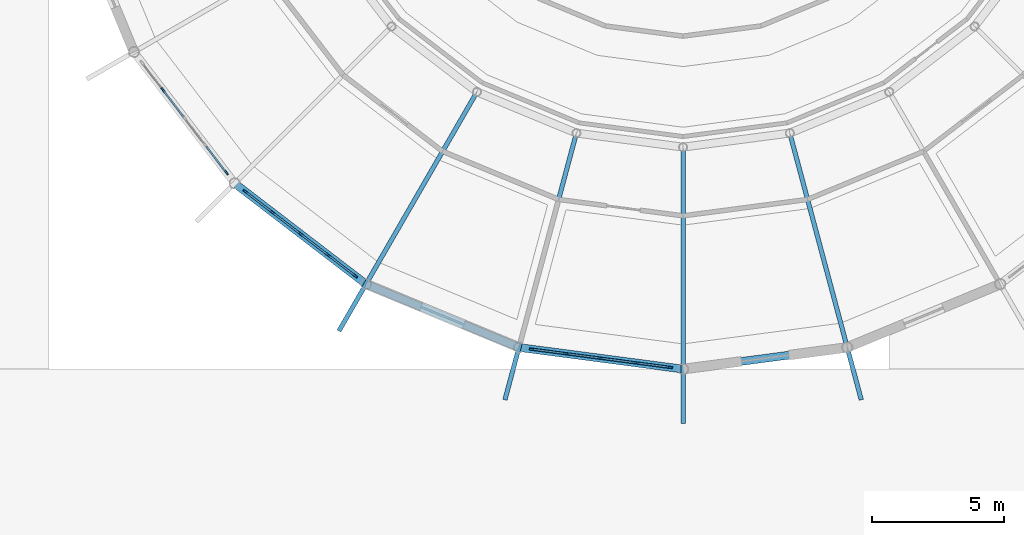
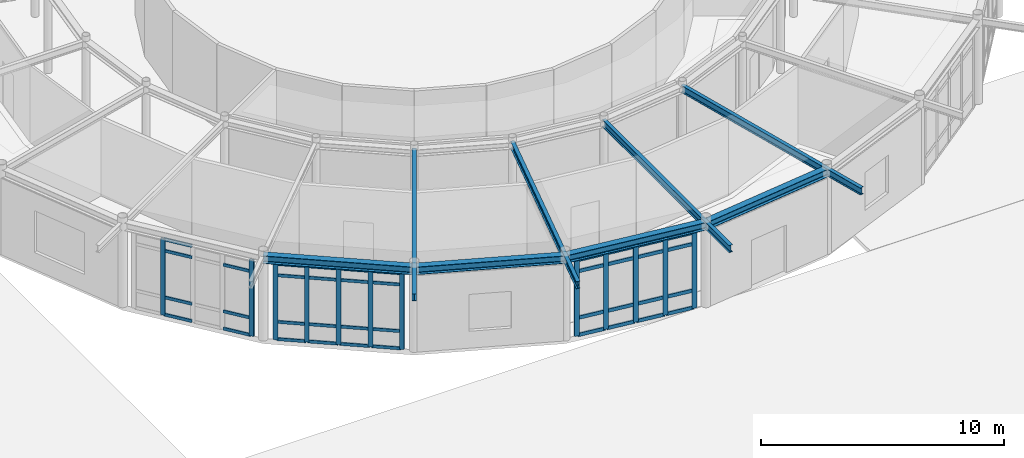
# One storey, part 31 of 101: 51 members, 8 beams, 3 elements without a shape of their own.
"""IFC4 building model written with IfcOpenShell, lengths in metres."""

import ifcopenshell
import ifcopenshell.guid

model = None  # the IFC model being written
_history = None  # IfcOwnerHistory: only IFC2X3 demands one
_inside = {}  # id of a spatial element -> (the spatial element, [elements in it])
_under = {}  # id of a project, library or spatial element -> (it, [spatial elements below it])
_declared = {}  # id of a project -> (the project, [libraries it declares])
_typed = {}  # id of a type object -> (the type object, [elements of that type])
_made_of = {}  # id of a material, layer set ... -> (it, [elements and type objects made of it])


def new_model(schema):
    """Start an empty IFC model of exactly this schema.

    Asked for "IFC4X3", IfcOpenShell would pick the latest addendum, in which some entities
    have other attributes; the version numbers below select the first issue.
    IFC2X3 requires an IfcOwnerHistory on every rooted entity: one is made here for all.
    """
    global model, _history
    if schema == "IFC4X3":
        model = ifcopenshell.file(schema_version=(4, 3, 0, 0))
    else:
        model = ifcopenshell.file(schema=schema)
    _inside.clear()
    _under.clear()
    _declared.clear()
    _typed.clear()
    _made_of.clear()
    _history = None
    if model.schema == "IFC2X3":
        org = make("IfcOrganization", Name="unknown")
        user = make(
            "IfcPersonAndOrganization",
            ThePerson=make("IfcPerson", FamilyName="unknown"),
            TheOrganization=org,
        )
        app = make(
            "IfcApplication",
            ApplicationDeveloper=org,
            Version="unknown",
            ApplicationFullName="unknown",
            ApplicationIdentifier="unknown",
        )
        _history = make(
            "IfcOwnerHistory",
            OwningUser=user,
            OwningApplication=app,
            ChangeAction="ADDED",
            CreationDate=0,
        )
    return model


def make(cls, **values):
    """One entity of the class cls with the attributes given. An attribute that is None is left unset."""
    return model.create_entity(
        cls, **{name: value for name, value in values.items() if value is not None}
    )


def rooted(cls, **values):
    """An entity with a GlobalId (a new one), such as an element, a storey or a relation."""
    return make(cls, GlobalId=ifcopenshell.guid.new(), OwnerHistory=_history, **values)


def si_unit(unit_type, name, prefix=None):
    """IfcSIUnit, for example si_unit("LENGTHUNIT", "METRE", prefix="MILLI")."""
    return make("IfcSIUnit", UnitType=unit_type, Prefix=prefix, Name=name)


def derived_unit(unit_type, elements):
    """IfcDerivedUnit: a product of units, each with its exponent."""
    return make(
        "IfcDerivedUnit",
        Elements=[
            make("IfcDerivedUnitElement", Unit=unit, Exponent=power)
            for unit, power in elements
        ],
        UnitType=unit_type,
    )


def assignment(units):
    """IfcUnitAssignment: the units of a project."""
    return None if units is None else make("IfcUnitAssignment", Units=units)


def point(xyz):
    """IfcCartesianPoint."""
    return None if xyz is None else make("IfcCartesianPoint", Coordinates=xyz)


def direction(xyz):
    """IfcDirection."""
    return None if xyz is None else make("IfcDirection", DirectionRatios=xyz)


def frame(location, z_axis=None, x_axis=None):
    """IfcAxis2Placement3D, a coordinate frame: its origin and axes. An axis left out is left unset."""
    return make(
        "IfcAxis2Placement3D",
        Location=point(location),
        Axis=direction(z_axis),
        RefDirection=direction(x_axis),
    )


def frame_2d(location, x_axis=None):
    """IfcAxis2Placement2D, a coordinate frame in the plane: its origin and x axis."""
    return make(
        "IfcAxis2Placement2D", Location=point(location), RefDirection=direction(x_axis)
    )


def origin():
    """The frame at (0, 0, 0) with its axes left unset."""
    return frame((0.0, 0.0, 0.0))


def origin_2d():
    """The frame at (0, 0) in the plane with its x axis left unset."""
    return frame_2d((0.0, 0.0))


def place(relative_to, where):
    """IfcLocalPlacement: puts the frame where relative to a parent placement (None: the world)."""
    return make(
        "IfcLocalPlacement", PlacementRelTo=relative_to, RelativePlacement=where
    )


def context(
    kind, dimensions, precision=None, world=None, true_north=None, identifier=None
):
    """IfcGeometricRepresentationContext, for example the 3D "Model" context."""
    return make(
        "IfcGeometricRepresentationContext",
        ContextIdentifier=identifier,
        ContextType=kind,
        CoordinateSpaceDimension=dimensions,
        Precision=precision,
        WorldCoordinateSystem=world,
        TrueNorth=true_north,
    )


def subcontext(parent, identifier, kind, view, scale=None):
    """IfcGeometricRepresentationSubContext, for example "Body" below "Model"."""
    return make(
        "IfcGeometricRepresentationSubContext",
        ContextIdentifier=identifier,
        ContextType=kind,
        ParentContext=parent,
        TargetScale=scale,
        TargetView=view,
    )


def project(units=None, contexts=None):
    """IfcProject with its units and contexts."""
    return rooted(
        "IfcProject",
        Name="project",
        RepresentationContexts=contexts,
        UnitsInContext=assignment(units),
    )


def spatial(cls, under=None, at=None, **own):
    """A site, building, storey or space (cls), placed at a placement, below another one or the project."""
    s = rooted(cls, ObjectPlacement=at, **own)
    if under is not None:
        _under.setdefault(under.id(), (under, []))[1].append(s)
    return s


def profile(cls, at=None, kind="AREA", **sizes):
    """A parametric profile (cls). Its sizes go by their IFC names, for example OverallWidth=200.0."""
    return make(cls, ProfileType=kind, Position=at, **sizes)


def rectangle(**sizes):
    """IfcRectangleProfileDef."""
    return profile("IfcRectangleProfileDef", **sizes)


def i_section(**sizes):
    """IfcIShapeProfileDef."""
    return profile("IfcIShapeProfileDef", **sizes)


def extrude(swept, where, along, depth):
    """IfcExtrudedAreaSolid: the profile swept, set in the frame where, extruded along a direction by depth."""
    return make(
        "IfcExtrudedAreaSolid",
        SweptArea=swept,
        Position=where,
        ExtrudedDirection=direction(along),
        Depth=depth,
    )


def shape(context_of_items, identifier, shape_type, items):
    """IfcShapeRepresentation: the items that make up one representation, for example the "Body"."""
    return make(
        "IfcShapeRepresentation",
        ContextOfItems=context_of_items,
        RepresentationIdentifier=identifier,
        RepresentationType=shape_type,
        Items=items,
    )


def material(Name=None, Category=None):
    """IfcMaterial."""
    return make("IfcMaterial", Name=Name, Category=Category)


def layer(
    of_material, thickness, ventilated=None, Name=None, Category=None, Priority=None
):
    """IfcMaterialLayer: one layer of a wall or slab, of a material (None: an air gap)."""
    return make(
        "IfcMaterialLayer",
        Material=of_material,
        LayerThickness=thickness,
        IsVentilated=ventilated,
        Name=Name,
        Category=Category,
        Priority=Priority,
    )


def layer_set(layers, Name=None):
    """IfcMaterialLayerSet."""
    return make("IfcMaterialLayerSet", MaterialLayers=layers, LayerSetName=Name)


def material_profile(
    of_material, cross_section, Name=None, Category=None, Priority=None
):
    """IfcMaterialProfile: a cross section and its material."""
    return make(
        "IfcMaterialProfile",
        Name=Name,
        Material=of_material,
        Profile=cross_section,
        Priority=Priority,
        Category=Category,
    )


def profile_set(profiles, Name=None, composite=None):
    """IfcMaterialProfileSet."""
    return make(
        "IfcMaterialProfileSet",
        Name=Name,
        MaterialProfiles=profiles,
        CompositeProfile=composite,
    )


def made_of(thing, what):
    """Note that an element or type object is made of a material, layer set ...; save() writes the relation."""
    if what is not None:
        _made_of.setdefault(what.id(), (what, []))[1].append(thing)
    return thing


def type_object(cls, material=None, **own):
    """A type object (cls), such as IfcWallType, which elements share."""
    return made_of(rooted(cls, **own), material)


def element(
    cls,
    number,
    at=None,
    inside=None,
    cuts=None,
    type_object=None,
    material=None,
    context=None,
    identifier="Body",
    shape_type=None,
    held_by="IfcProductDefinitionShape",
    body=None,
    shapes=None,
    **own,
):
    """One element of the class cls, such as IfcWall. Its Tag is "e" and its number.

    at: its placement. inside: the storey or other place that contains it. cuts: it is an
    opening in that element (IfcRelVoidsElement). A single representation is given by context,
    identifier, shape_type and body (its items); several are given by shapes. held_by: the class
    of the entity that holds the representations. save() writes the other relations.
    """
    e = rooted(cls, Tag="e%d" % number, ObjectPlacement=at, **own)
    if body is not None:
        shapes = [shape(context, identifier, shape_type, body)]
    if shapes is not None:
        e.Representation = make(held_by, Representations=shapes)
    if inside is not None:
        _inside.setdefault(inside.id(), (inside, []))[1].append(e)
    if cuts is not None:
        rooted(
            "IfcRelVoidsElement", RelatingBuildingElement=cuts, RelatedOpeningElement=e
        )
    if type_object is not None:
        _typed.setdefault(type_object.id(), (type_object, []))[1].append(e)
    return made_of(e, material)


def aggregate(whole, parts):
    """IfcRelAggregates: a whole, such as a stair, and the parts it consists of."""
    return rooted("IfcRelAggregates", RelatingObject=whole, RelatedObjects=parts)


def save(model, path):
    """Write the relations noted so far, then the file.

    IfcRelAggregates (storeys below a building ...), IfcRelContainedInSpatialStructure (elements
    in a storey), IfcRelDefinesByType, IfcRelAssociatesMaterial and IfcRelDeclares: one each for
    every whole, place, type object, material and project.
    """
    for whole, parts in _under.values():
        aggregate(whole, parts)
    for where, things in _inside.values():
        rooted(
            "IfcRelContainedInSpatialStructure",
            RelatedElements=things,
            RelatingStructure=where,
        )
    for kind, things in _typed.values():
        rooted("IfcRelDefinesByType", RelatedObjects=things, RelatingType=kind)
    for what, things in _made_of.values():
        rooted("IfcRelAssociatesMaterial", RelatedObjects=things, RelatingMaterial=what)
    for by, libraries in _declared.values():
        rooted("IfcRelDeclares", RelatingContext=by, RelatedDefinitions=libraries)
    model.write(path)


model = new_model("IFC4")

# Units and contexts
model_context = context("Model", 3, precision=1e-05, world=origin(), true_north=direction((0.0, 1.0)))
body_context = subcontext(model_context, "Body", "Model", "MODEL_VIEW")
ifc_project = project(units=[si_unit("LENGTHUNIT", "METRE"), si_unit("AREAUNIT", "SQUARE_METRE"), si_unit("VOLUMEUNIT", "CUBIC_METRE"), si_unit("PLANEANGLEUNIT", "RADIAN"), si_unit("MASSUNIT", "GRAM", prefix="KILO"), derived_unit("THERMALTRANSMITTANCEUNIT", [(si_unit("POWERUNIT", "WATT"), 1), (si_unit("AREAUNIT", "SQUARE_METRE"), -1), (si_unit("THERMODYNAMICTEMPERATUREUNIT", "KELVIN"), -1)])], contexts=[model_context])

# Site, building, storey
site_placement = place(None, origin())
site = spatial("IfcSite", under=ifc_project, at=site_placement, CompositionType="ELEMENT")
building_placement = place(site_placement, origin())
building = spatial("IfcBuilding", under=site, at=building_placement, Name="Yasenodar Specialist Clinic", CompositionType="ELEMENT")
storey_placement = place(building_placement, origin())
storey = spatial("IfcBuildingStorey", under=building, at=storey_placement, Name="L00", CompositionType="ELEMENT", Elevation=0.0)

# Beams
ifc_material_1 = material(Name="Steel S355", Category="steel")
ifc_material_profile_1 = material_profile(ifc_material_1, i_section(OverallWidth=0.300048828125, OverallDepth=0.389892578125, WebThickness=0.010986328125, FlangeThickness=0.01904296875, FilletRadius=0.027099609375, at=origin_2d()), Name="HEA 400")
ifc_profile_set_1 = profile_set([ifc_material_profile_1], Name="Steel S355")
beam_type_1 = type_object("IfcBeamType", Name="BM-HEA400", PredefinedType="BEAM", material=ifc_profile_set_1)
beam_1_placement = place(storey_placement, frame((64.029296875, 41.829345703125, 4.054931640625), z_axis=(0.793367971845, -0.608742360322, 0.0), x_axis=(0.608742360322, 0.793367971845, 0.0)))
element("IfcBeam", 1, at=beam_1_placement, inside=storey, type_object=beam_type_1, Name="L00 Drum V1 Perimeter Ring Beam", PredefinedType="BEAM", context=body_context, shape_type="SweptSolid", body=[
    extrude(i_section(OverallWidth=0.300048828125, OverallDepth=0.389892578125, WebThickness=0.010986328125, FlangeThickness=0.01904296875, FilletRadius=0.027099609375, at=origin_2d()), origin(), (0.0, 0.0, 1.0), 6.265380859375),
])
beam_2_placement = place(storey_placement, frame((69.0, 38.015380859375, 4.054931640625), z_axis=(0.9238876519, -0.382663829839, 0.0), x_axis=(0.382663829839, 0.9238876519, 0.0)))
element("IfcBeam", 2, at=beam_2_placement, inside=storey, type_object=beam_type_1, Name="L00 Drum V1 Perimeter Ring Beam", PredefinedType="BEAM", context=body_context, shape_type="SweptSolid", body=[
    extrude(i_section(OverallWidth=0.300048828125, OverallDepth=0.389892578125, WebThickness=0.010986328125, FlangeThickness=0.01904296875, FilletRadius=0.027099609375, at=origin_2d()), origin(), (0.0, 0.0, 1.0), 6.26513671875),
])
for number, where, z_axis, x_axis, name in (
    (3, (74.788330078125, 35.617919921875, 4.054931640625), (0.991443018138, -0.130540192224, 0.0), (0.130540192224, 0.991443018138, 0.0), "L00 Drum V1 Perimeter Ring Beam"),
    (4, (81.0, 34.800048828125, 4.054931640625), (0.991443018138, 0.130540192224, 0.0), (-0.130540192224, 0.991443018138, 0.0), "L00 Drum V1 Perimeter Ring Beam"),
):
    element("IfcBeam", number, at=place(storey_placement, frame(where, z_axis=z_axis, x_axis=x_axis)), inside=storey, type_object=beam_type_1, Name=name, PredefinedType="BEAM", context=body_context, shape_type="SweptSolid", body=[
        extrude(i_section(OverallWidth=0.300048828125, OverallDepth=0.389892578125, WebThickness=0.010986328125, FlangeThickness=0.01904296875, FilletRadius=0.027099609375, at=origin_2d()), origin(), (0.0, 0.0, 1.0), 6.265380859375),
    ])
ifc_material_profile_2 = material_profile(ifc_material_1, i_section(OverallWidth=0.169921875, OverallDepth=0.360107421875, WebThickness=0.008056640625, FlangeThickness=0.0126953125, FilletRadius=0.01806640625, at=origin_2d()), Name="IPE 360")
ifc_profile_set_2 = profile_set([ifc_material_profile_2], Name="Steel S355")
beam_type_2 = type_object("IfcBeamType", Name="BM-IPE360", PredefinedType="BEAM", material=ifc_profile_set_2)
for number, where, z_axis, x_axis, name in (
    (5, (73.199951171875, 45.2900390625, 4.070068359375), (-0.499986032603, -0.866033467715, 0.0), (0.866033467715, -0.499986032603, 0.0), "L00 Drum V1 Radial Back-Spanned Cantilever Beam"),
    (6, (76.96240234375, 43.731689453125, 4.070068359375), (-0.258811211874, -0.965927925162, 0.0), (0.965927925162, -0.258811211874, 0.0), "L00 Drum V1 Radial Back-Spanned Cantilever Beam"),
    (7, (81.0, 43.199951171875, 4.070068359375), (0.0, -1.0, 0.0), (1.0, 0.0, 0.0), "L00 Drum V1 Radial Back-Spanned Cantilever Beam"),
    (8, (85.03759765625, 43.731689453125, 4.070068359375), (0.258811211874, -0.965927925162, 0.0), (0.965927925162, 0.258811211874, 0.0), "L00 Drum V1 Radial Back-Spanned Cantilever Beam"),
):
    element("IfcBeam", number, at=place(storey_placement, frame(where, z_axis=z_axis, x_axis=x_axis)), inside=storey, type_object=beam_type_2, Name=name, PredefinedType="BEAM", context=body_context, shape_type="SweptSolid", body=[
        extrude(i_section(OverallWidth=0.169921875, OverallDepth=0.360107421875, WebThickness=0.008056640625, FlangeThickness=0.0126953125, FilletRadius=0.01806640625, at=origin_2d()), origin(), (0.0, 0.0, 1.0), 10.449951171875),
    ])

# Curtain wall, members
ifc_material_2 = material(Name="Bronze Anodized Aluminium and Triple Low-E Glass", Category="aluminium")
ifc_layer = layer(ifc_material_2, 0.1669921875)
ifc_layer_set = layer_set([ifc_layer], Name="Bronze Anodized Aluminium and Triple Low-E Glass")
curtain_wall_type = type_object("IfcCurtainWallType", Name="CW-SYS-01", PredefinedType="USERDEFINED", material=ifc_layer_set)
curtain_wall_1_placement = place(storey_placement, origin())
curtain_wall_1 = element("IfcCurtainWall", 9, at=curtain_wall_1_placement, inside=storey, type_object=curtain_wall_type, Name="L00 Unitised Curtain Wall 008", ObjectType="UNITISED CURTAIN WALL", PredefinedType="USERDEFINED")
ifc_material_3 = material(Name="Bronze Anodized Aluminium", Category="aluminium")
ifc_material_profile_3 = material_profile(ifc_material_3, rectangle(XDim=0.070068359375, YDim=0.199951171875, at=origin_2d()), Name="CW-MULL 70x200")
ifc_profile_set_3 = profile_set([ifc_material_profile_3], Name="Bronze Anodized Aluminium")
member_type_1 = type_object("IfcMemberType", Name="CW-MULL-200", PredefinedType="MULLION", material=ifc_profile_set_3)
member_1_placement = place(storey_placement, frame((63.7158203125, 42.238037109375, 0.0), z_axis=(0.0, 0.0, 1.0), x_axis=(-0.793360558574, -0.608752021844, 0.0)))
member_1 = element("IfcMember", 10, at=member_1_placement, type_object=member_type_1, Name="CW-01 mullion 1", PredefinedType="MULLION", context=body_context, shape_type="SweptSolid", body=[
    extrude(rectangle(XDim=0.070068359375, YDim=0.199951171875, at=origin_2d()), origin(), (0.0, 0.0, 1.0), 3.837890625),
])
member_2_placement = place(storey_placement, frame((61.31494140625, 45.366943359375, 0.0), z_axis=(0.0, 0.0, 1.0), x_axis=(-0.793360558574, -0.608752021844, 0.0)))
member_2 = element("IfcMember", 11, at=member_2_placement, type_object=member_type_1, Name="CW-01 mullion 4", PredefinedType="MULLION", context=body_context, shape_type="SweptSolid", body=[
    extrude(rectangle(XDim=0.070068359375, YDim=0.199951171875, at=origin_2d()), origin(), (0.0, 0.0, 1.0), 3.837890625),
])

curtain_wall_2_placement = place(storey_placement, origin())
curtain_wall_2 = element("IfcCurtainWall", 12, at=curtain_wall_2_placement, inside=storey, type_object=curtain_wall_type, Name="L00 Unitised Curtain Wall 009", ObjectType="UNITISED CURTAIN WALL", PredefinedType="USERDEFINED")
member_3_placement = place(storey_placement, frame((68.591552734375, 38.328857421875, 0.0), z_axis=(0.0, 0.0, 1.0), x_axis=(-0.608752021844, -0.793360558574, 0.0)))
member_3 = element("IfcMember", 13, at=member_3_placement, type_object=member_type_1, Name="CW-01 mullion 1", PredefinedType="MULLION", context=body_context, shape_type="SweptSolid", body=[
    extrude(rectangle(XDim=0.070068359375, YDim=0.199951171875, at=origin_2d()), origin(), (0.0, 0.0, 1.0), 3.837890625),
])
member_4_placement = place(storey_placement, frame((67.56689453125, 39.114990234375, 0.0), z_axis=(0.0, 0.0, 1.0), x_axis=(-0.608752021844, -0.793360558574, 0.0)))
member_4 = element("IfcMember", 14, at=member_4_placement, type_object=member_type_1, Name="CW-01 mullion 2", PredefinedType="MULLION", context=body_context, shape_type="SweptSolid", body=[
    extrude(rectangle(XDim=0.070068359375, YDim=0.199951171875, at=origin_2d()), origin(), (0.0, 0.0, 1.0), 3.837890625),
])
member_5_placement = place(storey_placement, frame((66.5146484375, 39.92236328125, 0.0), z_axis=(0.0, 0.0, 1.0), x_axis=(-0.608752021844, -0.793360558574, 0.0)))
member_5 = element("IfcMember", 15, at=member_5_placement, type_object=member_type_1, Name="CW-01 mullion 3", PredefinedType="MULLION", context=body_context, shape_type="SweptSolid", body=[
    extrude(rectangle(XDim=0.070068359375, YDim=0.199951171875, at=origin_2d()), origin(), (0.0, 0.0, 1.0), 3.837890625),
])
member_6_placement = place(storey_placement, frame((65.46240234375, 40.729736328125, 0.0), z_axis=(0.0, 0.0, 1.0), x_axis=(-0.608752021844, -0.793360558574, 0.0)))
member_6 = element("IfcMember", 16, at=member_6_placement, type_object=member_type_1, Name="CW-01 mullion 4", PredefinedType="MULLION", context=body_context, shape_type="SweptSolid", body=[
    extrude(rectangle(XDim=0.070068359375, YDim=0.199951171875, at=origin_2d()), origin(), (0.0, 0.0, 1.0), 3.837890625),
])
member_7_placement = place(storey_placement, frame((64.43798828125, 41.515869140625, 0.0), z_axis=(0.0, 0.0, 1.0), x_axis=(-0.608752021844, -0.793360558574, 0.0)))
member_7 = element("IfcMember", 17, at=member_7_placement, type_object=member_type_1, Name="CW-01 mullion 5", PredefinedType="MULLION", context=body_context, shape_type="SweptSolid", body=[
    extrude(rectangle(XDim=0.070068359375, YDim=0.199951171875, at=origin_2d()), origin(), (0.0, 0.0, 1.0), 3.837890625),
])

curtain_wall_3_placement = place(storey_placement, origin())
curtain_wall_3 = element("IfcCurtainWall", 18, at=curtain_wall_3_placement, inside=storey, type_object=curtain_wall_type, Name="L00 Unitised Curtain Wall 010", ObjectType="UNITISED CURTAIN WALL", PredefinedType="USERDEFINED")
ifc_material_profile_4 = material_profile(ifc_material_3, rectangle(XDim=0.074951171875, YDim=0.22509765625, at=origin_2d()), Name="CW-MULL 75x225")
ifc_profile_set_4 = profile_set([ifc_material_profile_4], Name="Bronze Anodized Aluminium")
member_type_2 = type_object("IfcMemberType", Name="CW-MULL-225", PredefinedType="MULLION", material=ifc_profile_set_4)
member_8_placement = place(storey_placement, frame((80.48681640625, 34.86767578125, 0.0), z_axis=(0.0, 0.0, 1.0), x_axis=(-0.13051156024, -0.991446787601, 0.0)))
member_8 = element("IfcMember", 19, at=member_8_placement, type_object=member_type_2, Name="CW-01 mullion 1", PredefinedType="MULLION", context=body_context, shape_type="SweptSolid", body=[
    extrude(rectangle(XDim=0.074951171875, YDim=0.22509765625, at=origin_2d()), origin(), (0.0, 0.0, 1.0), 3.837890625),
])
member_9_placement = place(storey_placement, frame((79.209228515625, 35.035888671875, 0.0), z_axis=(0.0, 0.0, 1.0), x_axis=(-0.13051156024, -0.991446787601, 0.0)))
member_9 = element("IfcMember", 20, at=member_9_placement, type_object=member_type_2, Name="CW-01 mullion 2", PredefinedType="MULLION", context=body_context, shape_type="SweptSolid", body=[
    extrude(rectangle(XDim=0.074951171875, YDim=0.22509765625, at=origin_2d()), origin(), (0.0, 0.0, 1.0), 3.837890625),
])
member_10_placement = place(storey_placement, frame((77.89404296875, 35.208984375, 0.0), z_axis=(0.0, 0.0, 1.0), x_axis=(-0.13051156024, -0.991446787601, 0.0)))
member_10 = element("IfcMember", 21, at=member_10_placement, type_object=member_type_2, Name="CW-01 mullion 3", PredefinedType="MULLION", context=body_context, shape_type="SweptSolid", body=[
    extrude(rectangle(XDim=0.074951171875, YDim=0.22509765625, at=origin_2d()), origin(), (0.0, 0.0, 1.0), 3.837890625),
])
member_11_placement = place(storey_placement, frame((76.5791015625, 35.382080078125, 0.0), z_axis=(0.0, 0.0, 1.0), x_axis=(-0.13051156024, -0.991446787601, 0.0)))
member_11 = element("IfcMember", 22, at=member_11_placement, type_object=member_type_2, Name="CW-01 mullion 4", PredefinedType="MULLION", context=body_context, shape_type="SweptSolid", body=[
    extrude(rectangle(XDim=0.074951171875, YDim=0.22509765625, at=origin_2d()), origin(), (0.0, 0.0, 1.0), 3.837890625),
])
member_12_placement = place(storey_placement, frame((75.30126953125, 35.55029296875, 0.0), z_axis=(0.0, 0.0, 1.0), x_axis=(-0.13051156024, -0.991446787601, 0.0)))
member_12 = element("IfcMember", 23, at=member_12_placement, type_object=member_type_2, Name="CW-01 mullion 5", PredefinedType="MULLION", context=body_context, shape_type="SweptSolid", body=[
    extrude(rectangle(XDim=0.074951171875, YDim=0.22509765625, at=origin_2d()), origin(), (0.0, 0.0, 1.0), 3.837890625),
])

# Member
ifc_material_profile_5 = material_profile(ifc_material_3, rectangle(XDim=0.070068359375, YDim=0.14990234375, at=origin_2d()), Name="CW-TRAN 70x150")
ifc_profile_set_5 = profile_set([ifc_material_profile_5], Name="Bronze Anodized Aluminium")
member_type_3 = type_object("IfcMemberType", Name="CW-TRAN-150", PredefinedType="USERDEFINED", material=ifc_profile_set_5)
member_13_placement = place(storey_placement, frame((63.694580078125, 42.265625, 0.034912109375), z_axis=(-0.608695898449, 0.793403619358, 0.0), x_axis=(-0.793403619358, -0.608695898449, 0.0)))
member_13 = element("IfcMember", 24, at=member_13_placement, type_object=member_type_3, Name="CW-01 transom 1.1", ObjectType="TRANSOM", PredefinedType="USERDEFINED", context=body_context, shape_type="SweptSolid", body=[
    extrude(rectangle(XDim=0.070068359375, YDim=0.14990234375, at=origin_2d()), origin(), (0.0, 0.0, 1.0), 1.22119140625),
])

member_14_placement = place(storey_placement, frame((63.694580078125, 42.265625, 0.89990234375), z_axis=(-0.608695898449, 0.793403619358, 0.0), x_axis=(-0.793403619358, -0.608695898449, 0.0)))
member_14 = element("IfcMember", 25, at=member_14_placement, type_object=member_type_3, Name="CW-01 transom 1.2", ObjectType="TRANSOM", PredefinedType="USERDEFINED", context=body_context, shape_type="SweptSolid", body=[
    extrude(rectangle(XDim=0.070068359375, YDim=0.14990234375, at=origin_2d()), origin(), (0.0, 0.0, 1.0), 1.22119140625),
])

member_15_placement = place(storey_placement, frame((63.694580078125, 42.265625, 3.238037109375), z_axis=(-0.608695898449, 0.793403619358, 0.0), x_axis=(-0.793403619358, -0.608695898449, 0.0)))
member_15 = element("IfcMember", 26, at=member_15_placement, type_object=member_type_3, Name="CW-01 transom 1.3", ObjectType="TRANSOM", PredefinedType="USERDEFINED", context=body_context, shape_type="SweptSolid", body=[
    extrude(rectangle(XDim=0.070068359375, YDim=0.14990234375, at=origin_2d()), origin(), (0.0, 0.0, 1.0), 1.22119140625),
])

member_16_placement = place(storey_placement, frame((62.10107421875, 44.342529296875, 0.034912109375), z_axis=(-0.608733443446, 0.793374813585, 0.0), x_axis=(-0.793374813585, -0.608733443446, 0.0)))
member_16 = element("IfcMember", 27, at=member_16_placement, type_object=member_type_3, Name="CW-01 transom 3.1", ObjectType="TRANSOM", PredefinedType="USERDEFINED", context=body_context, shape_type="SweptSolid", body=[
    extrude(rectangle(XDim=0.070068359375, YDim=0.14990234375, at=origin_2d()), origin(), (0.0, 0.0, 1.0), 1.256103515625),
])

member_17_placement = place(storey_placement, frame((62.10107421875, 44.342529296875, 0.89990234375), z_axis=(-0.608733443446, 0.793374813585, 0.0), x_axis=(-0.793374813585, -0.608733443446, 0.0)))
member_17 = element("IfcMember", 28, at=member_17_placement, type_object=member_type_3, Name="CW-01 transom 3.2", ObjectType="TRANSOM", PredefinedType="USERDEFINED", context=body_context, shape_type="SweptSolid", body=[
    extrude(rectangle(XDim=0.070068359375, YDim=0.14990234375, at=origin_2d()), origin(), (0.0, 0.0, 1.0), 1.256103515625),
])

member_18_placement = place(storey_placement, frame((62.10107421875, 44.342529296875, 3.238037109375), z_axis=(-0.608733443446, 0.793374813585, 0.0), x_axis=(-0.793374813585, -0.608733443446, 0.0)))
member_18 = element("IfcMember", 29, at=member_18_placement, type_object=member_type_3, Name="CW-01 transom 3.3", ObjectType="TRANSOM", PredefinedType="USERDEFINED", context=body_context, shape_type="SweptSolid", body=[
    extrude(rectangle(XDim=0.070068359375, YDim=0.14990234375, at=origin_2d()), origin(), (0.0, 0.0, 1.0), 1.256103515625),
])

member_19_placement = place(storey_placement, frame((62.10107421875, 44.342529296875, 3.802978515625), z_axis=(-0.608733443446, 0.793374813585, 0.0), x_axis=(-0.793374813585, -0.608733443446, 0.0)))
member_19 = element("IfcMember", 30, at=member_19_placement, type_object=member_type_3, Name="CW-01 transom 3.4", ObjectType="TRANSOM", PredefinedType="USERDEFINED", context=body_context, shape_type="SweptSolid", body=[
    extrude(rectangle(XDim=0.070068359375, YDim=0.14990234375, at=origin_2d()), origin(), (0.0, 0.0, 1.0), 1.256103515625),
])

aggregate(curtain_wall_1, [member_1, member_2, member_13, member_14, member_15, member_16, member_17, member_18, member_19])

member_20_placement = place(storey_placement, frame((68.563720703125, 38.35009765625, 0.034912109375), z_axis=(-0.793307081054, 0.608821710479, 0.0), x_axis=(-0.608821710479, -0.793307081054, 0.0)))
member_20 = element("IfcMember", 31, at=member_20_placement, type_object=member_type_3, Name="CW-01 transom 1.1", ObjectType="TRANSOM", PredefinedType="USERDEFINED", context=body_context, shape_type="SweptSolid", body=[
    extrude(rectangle(XDim=0.070068359375, YDim=0.14990234375, at=origin_2d()), origin(), (0.0, 0.0, 1.0), 1.221435546875),
])

member_21_placement = place(storey_placement, frame((68.563720703125, 38.35009765625, 0.89990234375), z_axis=(-0.793307081054, 0.608821710479, 0.0), x_axis=(-0.608821710479, -0.793307081054, 0.0)))
member_21 = element("IfcMember", 32, at=member_21_placement, type_object=member_type_3, Name="CW-01 transom 1.2", ObjectType="TRANSOM", PredefinedType="USERDEFINED", context=body_context, shape_type="SweptSolid", body=[
    extrude(rectangle(XDim=0.070068359375, YDim=0.14990234375, at=origin_2d()), origin(), (0.0, 0.0, 1.0), 1.221435546875),
])

member_22_placement = place(storey_placement, frame((68.563720703125, 38.35009765625, 3.238037109375), z_axis=(-0.793307081054, 0.608821710479, 0.0), x_axis=(-0.608821710479, -0.793307081054, 0.0)))
member_22 = element("IfcMember", 33, at=member_22_placement, type_object=member_type_3, Name="CW-01 transom 1.3", ObjectType="TRANSOM", PredefinedType="USERDEFINED", context=body_context, shape_type="SweptSolid", body=[
    extrude(rectangle(XDim=0.070068359375, YDim=0.14990234375, at=origin_2d()), origin(), (0.0, 0.0, 1.0), 1.221435546875),
])

member_23_placement = place(storey_placement, frame((68.563720703125, 38.35009765625, 3.802978515625), z_axis=(-0.793307081054, 0.608821710479, 0.0), x_axis=(-0.608821710479, -0.793307081054, 0.0)))
member_23 = element("IfcMember", 34, at=member_23_placement, type_object=member_type_3, Name="CW-01 transom 1.4", ObjectType="TRANSOM", PredefinedType="USERDEFINED", context=body_context, shape_type="SweptSolid", body=[
    extrude(rectangle(XDim=0.070068359375, YDim=0.14990234375, at=origin_2d()), origin(), (0.0, 0.0, 1.0), 1.221435546875),
])

member_24_placement = place(storey_placement, frame((67.5390625, 39.13623046875, 0.034912109375), z_axis=(-0.793280948683, 0.608855759976, 0.0), x_axis=(-0.608855759976, -0.793280948683, 0.0)))
member_24 = element("IfcMember", 35, at=member_24_placement, type_object=member_type_3, Name="CW-01 transom 2.1", ObjectType="TRANSOM", PredefinedType="USERDEFINED", context=body_context, shape_type="SweptSolid", body=[
    extrude(rectangle(XDim=0.070068359375, YDim=0.14990234375, at=origin_2d()), origin(), (0.0, 0.0, 1.0), 1.25634765625),
])

member_25_placement = place(storey_placement, frame((67.5390625, 39.13623046875, 0.89990234375), z_axis=(-0.793280948683, 0.608855759976, 0.0), x_axis=(-0.608855759976, -0.793280948683, 0.0)))
member_25 = element("IfcMember", 36, at=member_25_placement, type_object=member_type_3, Name="CW-01 transom 2.2", ObjectType="TRANSOM", PredefinedType="USERDEFINED", context=body_context, shape_type="SweptSolid", body=[
    extrude(rectangle(XDim=0.070068359375, YDim=0.14990234375, at=origin_2d()), origin(), (0.0, 0.0, 1.0), 1.25634765625),
])

member_26_placement = place(storey_placement, frame((67.5390625, 39.13623046875, 3.238037109375), z_axis=(-0.793280948683, 0.608855759976, 0.0), x_axis=(-0.608855759976, -0.793280948683, 0.0)))
member_26 = element("IfcMember", 37, at=member_26_placement, type_object=member_type_3, Name="CW-01 transom 2.3", ObjectType="TRANSOM", PredefinedType="USERDEFINED", context=body_context, shape_type="SweptSolid", body=[
    extrude(rectangle(XDim=0.070068359375, YDim=0.14990234375, at=origin_2d()), origin(), (0.0, 0.0, 1.0), 1.25634765625),
])

member_27_placement = place(storey_placement, frame((67.5390625, 39.13623046875, 3.802978515625), z_axis=(-0.793280948683, 0.608855759976, 0.0), x_axis=(-0.608855759976, -0.793280948683, 0.0)))
member_27 = element("IfcMember", 38, at=member_27_placement, type_object=member_type_3, Name="CW-01 transom 2.4", ObjectType="TRANSOM", PredefinedType="USERDEFINED", context=body_context, shape_type="SweptSolid", body=[
    extrude(rectangle(XDim=0.070068359375, YDim=0.14990234375, at=origin_2d()), origin(), (0.0, 0.0, 1.0), 1.25634765625),
])

member_28_placement = place(storey_placement, frame((66.48681640625, 39.943603515625, 0.034912109375), z_axis=(-0.793280948683, 0.608855759976, 0.0), x_axis=(-0.608855759976, -0.793280948683, 0.0)))
member_28 = element("IfcMember", 39, at=member_28_placement, type_object=member_type_3, Name="CW-01 transom 3.1", ObjectType="TRANSOM", PredefinedType="USERDEFINED", context=body_context, shape_type="SweptSolid", body=[
    extrude(rectangle(XDim=0.070068359375, YDim=0.14990234375, at=origin_2d()), origin(), (0.0, 0.0, 1.0), 1.25634765625),
])

member_29_placement = place(storey_placement, frame((66.48681640625, 39.943603515625, 0.89990234375), z_axis=(-0.793280948683, 0.608855759976, 0.0), x_axis=(-0.608855759976, -0.793280948683, 0.0)))
member_29 = element("IfcMember", 40, at=member_29_placement, type_object=member_type_3, Name="CW-01 transom 3.2", ObjectType="TRANSOM", PredefinedType="USERDEFINED", context=body_context, shape_type="SweptSolid", body=[
    extrude(rectangle(XDim=0.070068359375, YDim=0.14990234375, at=origin_2d()), origin(), (0.0, 0.0, 1.0), 1.25634765625),
])

member_30_placement = place(storey_placement, frame((66.48681640625, 39.943603515625, 3.238037109375), z_axis=(-0.793280948683, 0.608855759976, 0.0), x_axis=(-0.608855759976, -0.793280948683, 0.0)))
member_30 = element("IfcMember", 41, at=member_30_placement, type_object=member_type_3, Name="CW-01 transom 3.3", ObjectType="TRANSOM", PredefinedType="USERDEFINED", context=body_context, shape_type="SweptSolid", body=[
    extrude(rectangle(XDim=0.070068359375, YDim=0.14990234375, at=origin_2d()), origin(), (0.0, 0.0, 1.0), 1.25634765625),
])

member_31_placement = place(storey_placement, frame((66.48681640625, 39.943603515625, 3.802978515625), z_axis=(-0.793280948683, 0.608855759976, 0.0), x_axis=(-0.608855759976, -0.793280948683, 0.0)))
member_31 = element("IfcMember", 42, at=member_31_placement, type_object=member_type_3, Name="CW-01 transom 3.4", ObjectType="TRANSOM", PredefinedType="USERDEFINED", context=body_context, shape_type="SweptSolid", body=[
    extrude(rectangle(XDim=0.070068359375, YDim=0.14990234375, at=origin_2d()), origin(), (0.0, 0.0, 1.0), 1.25634765625),
])

member_32_placement = place(storey_placement, frame((65.4345703125, 40.751220703125, 0.034912109375), z_axis=(-0.793329536598, 0.60879244933, 0.0), x_axis=(-0.60879244933, -0.793329536598, 0.0)))
member_32 = element("IfcMember", 43, at=member_32_placement, type_object=member_type_3, Name="CW-01 transom 4.1", ObjectType="TRANSOM", PredefinedType="USERDEFINED", context=body_context, shape_type="SweptSolid", body=[
    extrude(rectangle(XDim=0.070068359375, YDim=0.14990234375, at=origin_2d()), origin(), (0.0, 0.0, 1.0), 1.22119140625),
])

member_33_placement = place(storey_placement, frame((65.4345703125, 40.751220703125, 0.89990234375), z_axis=(-0.793329536598, 0.60879244933, 0.0), x_axis=(-0.60879244933, -0.793329536598, 0.0)))
member_33 = element("IfcMember", 44, at=member_33_placement, type_object=member_type_3, Name="CW-01 transom 4.2", ObjectType="TRANSOM", PredefinedType="USERDEFINED", context=body_context, shape_type="SweptSolid", body=[
    extrude(rectangle(XDim=0.070068359375, YDim=0.14990234375, at=origin_2d()), origin(), (0.0, 0.0, 1.0), 1.22119140625),
])

member_34_placement = place(storey_placement, frame((65.4345703125, 40.751220703125, 3.238037109375), z_axis=(-0.793329536598, 0.60879244933, 0.0), x_axis=(-0.60879244933, -0.793329536598, 0.0)))
member_34 = element("IfcMember", 45, at=member_34_placement, type_object=member_type_3, Name="CW-01 transom 4.3", ObjectType="TRANSOM", PredefinedType="USERDEFINED", context=body_context, shape_type="SweptSolid", body=[
    extrude(rectangle(XDim=0.070068359375, YDim=0.14990234375, at=origin_2d()), origin(), (0.0, 0.0, 1.0), 1.22119140625),
])

member_35_placement = place(storey_placement, frame((65.4345703125, 40.751220703125, 3.802978515625), z_axis=(-0.793329536598, 0.60879244933, 0.0), x_axis=(-0.60879244933, -0.793329536598, 0.0)))
member_35 = element("IfcMember", 46, at=member_35_placement, type_object=member_type_3, Name="CW-01 transom 4.4", ObjectType="TRANSOM", PredefinedType="USERDEFINED", context=body_context, shape_type="SweptSolid", body=[
    extrude(rectangle(XDim=0.070068359375, YDim=0.14990234375, at=origin_2d()), origin(), (0.0, 0.0, 1.0), 1.22119140625),
])

aggregate(curtain_wall_2, [member_3, member_4, member_5, member_6, member_7, member_20, member_21, member_22, member_23, member_24, member_25, member_26, member_27, member_28, member_29, member_30, member_31, member_32, member_33, member_34, member_35])

ifc_material_profile_6 = material_profile(ifc_material_3, rectangle(XDim=0.074951171875, YDim=0.175048828125, at=origin_2d()), Name="CW-TRAN 75x175")
ifc_profile_set_6 = profile_set([ifc_material_profile_6], Name="Bronze Anodized Aluminium")
member_type_4 = type_object("IfcMemberType", Name="CW-TRAN-175", PredefinedType="USERDEFINED", material=ifc_profile_set_6)
member_36_placement = place(storey_placement, frame((80.44970703125, 34.87255859375, 0.03759765625), z_axis=(-0.991442652858, 0.130542966465, 0.0), x_axis=(-0.130542966465, -0.991442652858, 0.0)))
member_36 = element("IfcMember", 47, at=member_36_placement, type_object=member_type_4, Name="CW-01 transom 1.1", ObjectType="TRANSOM", PredefinedType="USERDEFINED", context=body_context, shape_type="SweptSolid", body=[
    extrude(rectangle(XDim=0.074951171875, YDim=0.175048828125, at=origin_2d()), origin(), (0.0, 0.0, 1.0), 1.2138671875),
])

member_37_placement = place(storey_placement, frame((80.44970703125, 34.87255859375, 0.89990234375), z_axis=(-0.991442652858, 0.130542966465, 0.0), x_axis=(-0.130542966465, -0.991442652858, 0.0)))
member_37 = element("IfcMember", 48, at=member_37_placement, type_object=member_type_4, Name="CW-01 transom 1.2", ObjectType="TRANSOM", PredefinedType="USERDEFINED", context=body_context, shape_type="SweptSolid", body=[
    extrude(rectangle(XDim=0.074951171875, YDim=0.175048828125, at=origin_2d()), origin(), (0.0, 0.0, 1.0), 1.2138671875),
])

member_38_placement = place(storey_placement, frame((80.44970703125, 34.87255859375, 3.238037109375), z_axis=(-0.991442652858, 0.130542966465, 0.0), x_axis=(-0.130542966465, -0.991442652858, 0.0)))
member_38 = element("IfcMember", 49, at=member_38_placement, type_object=member_type_4, Name="CW-01 transom 1.3", ObjectType="TRANSOM", PredefinedType="USERDEFINED", context=body_context, shape_type="SweptSolid", body=[
    extrude(rectangle(XDim=0.074951171875, YDim=0.175048828125, at=origin_2d()), origin(), (0.0, 0.0, 1.0), 1.2138671875),
])

member_39_placement = place(storey_placement, frame((80.44970703125, 34.87255859375, 3.800537109375), z_axis=(-0.991442652858, 0.130542966465, 0.0), x_axis=(-0.130542966465, -0.991442652858, 0.0)))
member_39 = element("IfcMember", 50, at=member_39_placement, type_object=member_type_4, Name="CW-01 transom 1.4", ObjectType="TRANSOM", PredefinedType="USERDEFINED", context=body_context, shape_type="SweptSolid", body=[
    extrude(rectangle(XDim=0.074951171875, YDim=0.175048828125, at=origin_2d()), origin(), (0.0, 0.0, 1.0), 1.2138671875),
])

member_40_placement = place(storey_placement, frame((79.171875, 35.040771484375, 0.03759765625), z_axis=(-0.991443001264, 0.130540320379, 0.0), x_axis=(-0.130540320379, -0.991443001264, 0.0)))
member_40 = element("IfcMember", 51, at=member_40_placement, type_object=member_type_4, Name="CW-01 transom 2.1", ObjectType="TRANSOM", PredefinedType="USERDEFINED", context=body_context, shape_type="SweptSolid", body=[
    extrude(rectangle(XDim=0.074951171875, YDim=0.175048828125, at=origin_2d()), origin(), (0.0, 0.0, 1.0), 1.251220703125),
])

member_41_placement = place(storey_placement, frame((79.171875, 35.040771484375, 0.89990234375), z_axis=(-0.991443001264, 0.130540320379, 0.0), x_axis=(-0.130540320379, -0.991443001264, 0.0)))
member_41 = element("IfcMember", 52, at=member_41_placement, type_object=member_type_4, Name="CW-01 transom 2.2", ObjectType="TRANSOM", PredefinedType="USERDEFINED", context=body_context, shape_type="SweptSolid", body=[
    extrude(rectangle(XDim=0.074951171875, YDim=0.175048828125, at=origin_2d()), origin(), (0.0, 0.0, 1.0), 1.251220703125),
])

member_42_placement = place(storey_placement, frame((79.171875, 35.040771484375, 3.238037109375), z_axis=(-0.991443001264, 0.130540320379, 0.0), x_axis=(-0.130540320379, -0.991443001264, 0.0)))
member_42 = element("IfcMember", 53, at=member_42_placement, type_object=member_type_4, Name="CW-01 transom 2.3", ObjectType="TRANSOM", PredefinedType="USERDEFINED", context=body_context, shape_type="SweptSolid", body=[
    extrude(rectangle(XDim=0.074951171875, YDim=0.175048828125, at=origin_2d()), origin(), (0.0, 0.0, 1.0), 1.251220703125),
])

member_43_placement = place(storey_placement, frame((79.171875, 35.040771484375, 3.800537109375), z_axis=(-0.991443001264, 0.130540320379, 0.0), x_axis=(-0.130540320379, -0.991443001264, 0.0)))
member_43 = element("IfcMember", 54, at=member_43_placement, type_object=member_type_4, Name="CW-01 transom 2.4", ObjectType="TRANSOM", PredefinedType="USERDEFINED", context=body_context, shape_type="SweptSolid", body=[
    extrude(rectangle(XDim=0.074951171875, YDim=0.175048828125, at=origin_2d()), origin(), (0.0, 0.0, 1.0), 1.251220703125),
])

member_44_placement = place(storey_placement, frame((77.85693359375, 35.2138671875, 0.03759765625), z_axis=(-0.991443001264, 0.130540320379, 0.0), x_axis=(-0.130540320379, -0.991443001264, 0.0)))
member_44 = element("IfcMember", 55, at=member_44_placement, type_object=member_type_4, Name="CW-01 transom 3.1", ObjectType="TRANSOM", PredefinedType="USERDEFINED", context=body_context, shape_type="SweptSolid", body=[
    extrude(rectangle(XDim=0.074951171875, YDim=0.175048828125, at=origin_2d()), origin(), (0.0, 0.0, 1.0), 1.251220703125),
])

member_45_placement = place(storey_placement, frame((77.85693359375, 35.2138671875, 0.89990234375), z_axis=(-0.991443001264, 0.130540320379, 0.0), x_axis=(-0.130540320379, -0.991443001264, 0.0)))
member_45 = element("IfcMember", 56, at=member_45_placement, type_object=member_type_4, Name="CW-01 transom 3.2", ObjectType="TRANSOM", PredefinedType="USERDEFINED", context=body_context, shape_type="SweptSolid", body=[
    extrude(rectangle(XDim=0.074951171875, YDim=0.175048828125, at=origin_2d()), origin(), (0.0, 0.0, 1.0), 1.251220703125),
])

member_46_placement = place(storey_placement, frame((77.85693359375, 35.2138671875, 3.238037109375), z_axis=(-0.991443001264, 0.130540320379, 0.0), x_axis=(-0.130540320379, -0.991443001264, 0.0)))
member_46 = element("IfcMember", 57, at=member_46_placement, type_object=member_type_4, Name="CW-01 transom 3.3", ObjectType="TRANSOM", PredefinedType="USERDEFINED", context=body_context, shape_type="SweptSolid", body=[
    extrude(rectangle(XDim=0.074951171875, YDim=0.175048828125, at=origin_2d()), origin(), (0.0, 0.0, 1.0), 1.251220703125),
])

member_47_placement = place(storey_placement, frame((77.85693359375, 35.2138671875, 3.800537109375), z_axis=(-0.991443001264, 0.130540320379, 0.0), x_axis=(-0.130540320379, -0.991443001264, 0.0)))
member_47 = element("IfcMember", 58, at=member_47_placement, type_object=member_type_4, Name="CW-01 transom 3.4", ObjectType="TRANSOM", PredefinedType="USERDEFINED", context=body_context, shape_type="SweptSolid", body=[
    extrude(rectangle(XDim=0.074951171875, YDim=0.175048828125, at=origin_2d()), origin(), (0.0, 0.0, 1.0), 1.251220703125),
])

member_48_placement = place(storey_placement, frame((76.5419921875, 35.386962890625, 0.03759765625), z_axis=(-0.991442652858, 0.130542966465, 0.0), x_axis=(-0.130542966465, -0.991442652858, 0.0)))
member_48 = element("IfcMember", 59, at=member_48_placement, type_object=member_type_4, Name="CW-01 transom 4.1", ObjectType="TRANSOM", PredefinedType="USERDEFINED", context=body_context, shape_type="SweptSolid", body=[
    extrude(rectangle(XDim=0.074951171875, YDim=0.175048828125, at=origin_2d()), origin(), (0.0, 0.0, 1.0), 1.2138671875),
])

member_49_placement = place(storey_placement, frame((76.5419921875, 35.386962890625, 0.89990234375), z_axis=(-0.991442652858, 0.130542966465, 0.0), x_axis=(-0.130542966465, -0.991442652858, 0.0)))
member_49 = element("IfcMember", 60, at=member_49_placement, type_object=member_type_4, Name="CW-01 transom 4.2", ObjectType="TRANSOM", PredefinedType="USERDEFINED", context=body_context, shape_type="SweptSolid", body=[
    extrude(rectangle(XDim=0.074951171875, YDim=0.175048828125, at=origin_2d()), origin(), (0.0, 0.0, 1.0), 1.2138671875),
])

member_50_placement = place(storey_placement, frame((76.5419921875, 35.386962890625, 3.238037109375), z_axis=(-0.991442652858, 0.130542966465, 0.0), x_axis=(-0.130542966465, -0.991442652858, 0.0)))
member_50 = element("IfcMember", 61, at=member_50_placement, type_object=member_type_4, Name="CW-01 transom 4.3", ObjectType="TRANSOM", PredefinedType="USERDEFINED", context=body_context, shape_type="SweptSolid", body=[
    extrude(rectangle(XDim=0.074951171875, YDim=0.175048828125, at=origin_2d()), origin(), (0.0, 0.0, 1.0), 1.2138671875),
])

member_51_placement = place(storey_placement, frame((76.5419921875, 35.386962890625, 3.800537109375), z_axis=(-0.991442652858, 0.130542966465, 0.0), x_axis=(-0.130542966465, -0.991442652858, 0.0)))
member_51 = element("IfcMember", 62, at=member_51_placement, type_object=member_type_4, Name="CW-01 transom 4.4", ObjectType="TRANSOM", PredefinedType="USERDEFINED", context=body_context, shape_type="SweptSolid", body=[
    extrude(rectangle(XDim=0.074951171875, YDim=0.175048828125, at=origin_2d()), origin(), (0.0, 0.0, 1.0), 1.2138671875),
])

aggregate(curtain_wall_3, [member_8, member_9, member_10, member_11, member_12, member_36, member_37, member_38, member_39, member_40, member_41, member_42, member_43, member_44, member_45, member_46, member_47, member_48, member_49, member_50, member_51])

save(model, "model.ifc")
